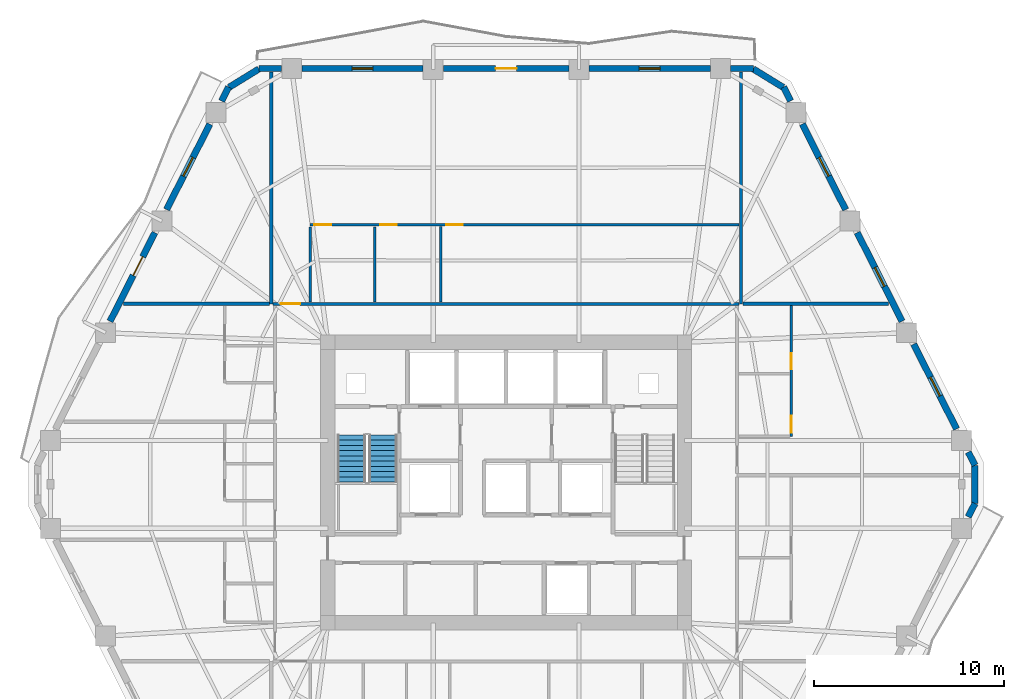
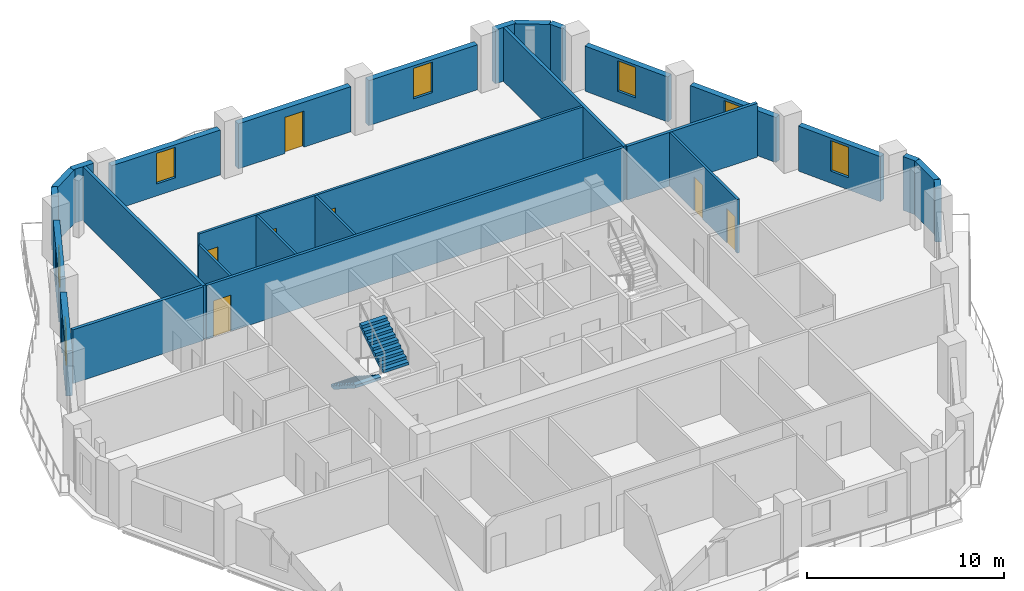
# One storey, part 7 of 10: 27 walls, 8 doors, 6 windows, 2 stair flights, 14 openings, 1 element without a shape of its own.
"""IFC4 building model written with IfcOpenShell, lengths in metres."""

from ifc_helpers import new_model, si_unit, direction, frame, frame_2d, origin, place, context, subcontext, project, spatial, polyline, rectangle, outline, extrude, material, layer, layer_set, type_object, element, fill, aggregate, save


model = new_model("IFC4")

# Units and contexts
model_context = context("Model", 3, precision=1e-05, world=origin(), true_north=direction((0.0, 1.0)))
body_context = subcontext(model_context, "Body", "Model", "MODEL_VIEW")
ifc_project = project(units=[si_unit("LENGTHUNIT", "METRE"), si_unit("AREAUNIT", "SQUARE_METRE"), si_unit("VOLUMEUNIT", "CUBIC_METRE"), si_unit("PLANEANGLEUNIT", "RADIAN"), si_unit("MASSUNIT", "GRAM", prefix="KILO")], contexts=[model_context])

# Site, building, storey
site_placement = place(None, origin())
site = spatial("IfcSite", under=ifc_project, at=site_placement, CompositionType="ELEMENT")
building_placement = place(site_placement, origin())
building = spatial("IfcBuilding", under=site, at=building_placement, Name="Cinnabar Lancet Tower", CompositionType="ELEMENT")
storey_placement = place(building_placement, frame((0.0, 0.0, 119.699951171875)))
storey = spatial("IfcBuildingStorey", under=building, at=storey_placement, Name="L31", CompositionType="ELEMENT", Elevation=119.699951171875)

# Wall, opening, door
ifc_material_1 = material(Name="Acoustic twin-stud gypsum partition", Category="gypsum")
ifc_layer_1 = layer(ifc_material_1, 0.159912109375)
ifc_layer_set_1 = layer_set([ifc_layer_1], Name="Acoustic twin-stud gypsum partition")
wall_type_1 = type_object("IfcWallType", Name="ARC-WL-CORR-160", PredefinedType="PARTITIONING", material=ifc_layer_set_1)
wall_1_placement = place(storey_placement, frame((20.14501953125, 35.300048828125, 0.0), z_axis=(0.0, 0.0, 1.0), x_axis=(1.0, 0.0, 0.0)))
wall_1 = element("IfcWall", 1, at=wall_1_placement, inside=storey, type_object=wall_type_1, Name="L31 Unit N01 Corridor Wall", PredefinedType="PARTITIONING", context=body_context, shape_type="SweptSolid", body=[
    extrude(rectangle(XDim=24.510009765625, YDim=0.159912109375, at=frame_2d((12.2548828125, 0.0))), origin(), (0.0, 0.0, 1.0), 3.340087890625),
])
opening_1_placement = place(wall_1_placement, frame((0.405029296875, 0.0, 0.0)))
opening_1 = element("IfcOpeningElement", 2, at=opening_1_placement, cuts=wall_1, Name="Opening UD-01", PredefinedType="OPENING", context=body_context, shape_type="SweptSolid", body=[
    extrude(rectangle(XDim=1.02001953125, YDim=2.25, at=frame_2d((0.510009765625, 1.125))), frame((0.0, 0.08984375, 0.0), z_axis=(0.0, -1.0, 0.0), x_axis=(1.0, 0.0, 0.0)), (0.0, 0.0, 1.0), 0.179931640625),
])
ifc_material_2 = material(Name="Solid timber fire-rated apartment entrance door", Category="wood")
door_type_1 = type_object("IfcDoorType", Name="ARC-DR-UNIT", OperationType="NOTDEFINED", PredefinedType="DOOR", material=ifc_material_2)
door_1_placement = place(opening_1_placement, origin())
door_1 = element("IfcDoor", 3, at=door_1_placement, inside=storey, type_object=door_type_1, Name="DR-L31-N01-ENT", OperationType="SINGLE_SWING_RIGHT", OverallHeight=2.25, OverallWidth=1.02001953125, PredefinedType="DOOR", context=body_context, shape_type="SweptSolid", body=[
    extrude(rectangle(XDim=1.02001953125, YDim=2.25, at=frame_2d((0.510009765625, 1.125))), frame((0.0, 0.02490234375, 0.0), z_axis=(0.0, -1.0, 0.0), x_axis=(1.0, 0.0, 0.0)), (0.0, 0.0, 1.0), 0.050048828125),
])
fill(opening_1, door_1)

# Walls
ifc_material_3 = material(Name="Fire-rated twin-frame acoustic drywall", Category="gypsum")
ifc_layer_2 = layer(ifc_material_3, 0.179931640625)
ifc_layer_set_2 = layer_set([ifc_layer_2], Name="Fire-rated twin-frame acoustic drywall")
wall_type_2 = type_object("IfcWallType", Name="ARC-WL-PARTY-180", PredefinedType="PARTITIONING", material=ifc_layer_set_2)
for number, where, z_axis, x_axis, name in (
    (4, (20.050048828125, 35.300048828125, 0.0), (0.0, 0.0, 1.0), (0.0, 1.0, 0.0), "PW-L31-NPTY-200"),
    (5, (44.75, 35.300048828125, 0.0), (0.0, 0.0, 1.0), (0.0, 1.0, 0.0), "PW-L31-NPTY-448"),
):
    element("IfcWall", number, at=place(storey_placement, frame(where, z_axis=z_axis, x_axis=x_axis)), inside=storey, type_object=wall_type_2, Name=name, PredefinedType="PARTITIONING", context=body_context, shape_type="SweptSolid", body=[
        extrude(rectangle(XDim=12.195068359375, YDim=0.179931640625, at=frame_2d((6.09765625, 0.0))), origin(), (0.0, 0.0, 1.0), 3.340087890625),
    ])
wall_2_placement = place(storey_placement, frame((12.285888671875, 35.300048828125, 0.0), z_axis=(0.0, 0.0, 1.0), x_axis=(1.0, 0.0, 0.0)))
element("IfcWall", 6, at=wall_2_placement, inside=storey, type_object=wall_type_2, Name="PW-L31-WNB", PredefinedType="PARTITIONING", context=body_context, shape_type="SweptSolid", body=[
    extrude(rectangle(XDim=7.669189453125, YDim=0.179931640625, at=frame_2d((3.83447265625, 0.0))), origin(), (0.0, 0.0, 1.0), 3.340087890625),
])
wall_3_placement = place(storey_placement, frame((44.844970703125, 35.300048828125, 0.0), z_axis=(0.0, 0.0, 1.0), x_axis=(1.0, 0.0, 0.0)))
element("IfcWall", 7, at=wall_3_placement, inside=storey, type_object=wall_type_2, Name="PW-L31-ENB", PredefinedType="PARTITIONING", context=body_context, shape_type="SweptSolid", body=[
    extrude(rectangle(XDim=7.6689453125, YDim=0.179931640625, at=frame_2d((3.83447265625, 0.0))), origin(), (0.0, 0.0, 1.0), 3.340087890625),
])
ifc_material_4 = material(Name="Gypsum plasterboard stud partition", Category="gypsum")
ifc_layer_3 = layer(ifc_material_4, 0.125)
ifc_layer_set_3 = layer_set([ifc_layer_3], Name="Gypsum plasterboard stud partition")
wall_type_3 = type_object("IfcWallType", Name="ARC-WL-UNIT-125", PredefinedType="PARTITIONING", material=ifc_layer_set_3)
wall_4_placement = place(storey_placement, frame((22.10009765625, 35.385009765625, 0.0), z_axis=(0.0, 0.0, 1.0), x_axis=(0.0, 1.0, 0.0)))
element("IfcWall", 8, at=wall_4_placement, inside=storey, type_object=wall_type_3, Name="UW-L31-N01-FOYE", PredefinedType="PARTITIONING", context=body_context, shape_type="SweptSolid", body=[
    extrude(rectangle(XDim=3.9560546875, YDim=0.125, at=frame_2d((1.97802734375, 0.0))), origin(), (0.0, 0.0, 1.0), 2.72216796875),
])

# Wall, openings, doors
ifc_material_5 = material(Name="Moisture-resistant cement-board plumbing wall", Category="masonry")
ifc_layer_4 = layer(ifc_material_5, 0.139892578125)
ifc_layer_set_4 = layer_set([ifc_layer_4], Name="Moisture-resistant cement-board plumbing wall")
wall_type_4 = type_object("IfcWallType", Name="ARC-WL-WET-140", PredefinedType="PLUMBINGWALL", material=ifc_layer_set_4)
wall_5_placement = place(storey_placement, frame((22.10009765625, 39.446044921875, 0.0), z_axis=(0.0, 0.0, 1.0), x_axis=(1.0, 0.0, 0.0)))
wall_5 = element("IfcWall", 9, at=wall_5_placement, inside=storey, type_object=wall_type_4, Name="UW-L31-N01-SPL", PredefinedType="PLUMBINGWALL", context=body_context, shape_type="SweptSolid", body=[
    extrude(rectangle(XDim=22.554931640625, YDim=0.139892578125, at=frame_2d((11.27734375, 0.0))), origin(), (0.0, 0.0, 1.0), 3.340087890625),
])
opening_2_placement = place(wall_5_placement, frame((3.679931640625, 0.0, 0.0)))
opening_2 = element("IfcOpeningElement", 10, at=opening_2_placement, cuts=wall_5, Name="Opening BD-01", PredefinedType="OPENING", context=body_context, shape_type="SweptSolid", body=[
    extrude(rectangle(XDim=0.860107421875, YDim=2.10009765625, at=frame_2d((0.43017578125, 1.050048828125))), frame((0.0, 0.079833984375, 0.0), z_axis=(0.0, -1.0, 0.0), x_axis=(1.0, 0.0, 0.0)), (0.0, 0.0, 1.0), 0.159912109375),
])
opening_3_placement = place(wall_5_placement, frame((7.14208984375, 0.0, 0.0)))
opening_3 = element("IfcOpeningElement", 11, at=opening_3_placement, cuts=wall_5, Name="Opening RD-02", PredefinedType="OPENING", context=body_context, shape_type="SweptSolid", body=[
    extrude(rectangle(XDim=0.8798828125, YDim=2.14990234375, at=frame_2d((0.43994140625, 1.074951171875))), frame((0.0, 0.079833984375, 0.0), z_axis=(0.0, -1.0, 0.0), x_axis=(1.0, 0.0, 0.0)), (0.0, 0.0, 1.0), 0.159912109375),
])
opening_4_placement = place(wall_5_placement, frame((0.219970703125, 0.0, 0.0)))
opening_4 = element("IfcOpeningElement", 12, at=opening_4_placement, cuts=wall_5, Name="Opening RD-02", PredefinedType="OPENING", context=body_context, shape_type="SweptSolid", body=[
    extrude(rectangle(XDim=0.8798828125, YDim=2.14990234375, at=frame_2d((0.43994140625, 1.074951171875))), frame((0.0, 0.079833984375, 0.0), z_axis=(0.0, -1.0, 0.0), x_axis=(1.0, 0.0, 0.0)), (0.0, 0.0, 1.0), 0.159912109375),
])
ifc_material_6 = material(Name="Moisture-resistant timber bathroom door", Category="wood")
door_type_2 = type_object("IfcDoorType", Name="ARC-DR-BATH", OperationType="NOTDEFINED", PredefinedType="DOOR", material=ifc_material_6)
door_2_placement = place(opening_2_placement, origin())
door_2 = element("IfcDoor", 13, at=door_2_placement, inside=storey, type_object=door_type_2, Name="DR-L31-N01-BTH", OperationType="SINGLE_SWING_RIGHT", OverallHeight=2.10009765625, OverallWidth=0.860107421875, PredefinedType="DOOR", context=body_context, shape_type="SweptSolid", body=[
    extrude(rectangle(XDim=0.860107421875, YDim=2.10009765625, at=frame_2d((0.43017578125, 1.050048828125))), frame((0.0, 0.02490234375, 0.0), z_axis=(0.0, -1.0, 0.0), x_axis=(1.0, 0.0, 0.0)), (0.0, 0.0, 1.0), 0.050048828125),
])
fill(opening_2, door_2)
ifc_material_7 = material(Name="Engineered timber study door", Category="wood")
door_type_3 = type_object("IfcDoorType", Name="ARC-DR-STUDY", OperationType="NOTDEFINED", PredefinedType="DOOR", material=ifc_material_7)
door_3_placement = place(opening_3_placement, origin())
door_3 = element("IfcDoor", 14, at=door_3_placement, inside=storey, type_object=door_type_3, Name="DR-L31-N01-BTH-WDR", OperationType="SINGLE_SWING_LEFT", OverallHeight=2.14990234375, OverallWidth=0.8798828125, PredefinedType="DOOR", context=body_context, shape_type="SweptSolid", body=[
    extrude(rectangle(XDim=0.8798828125, YDim=2.14990234375, at=frame_2d((0.43994140625, 1.074951171875))), frame((0.0, 0.02490234375, 0.0), z_axis=(0.0, -1.0, 0.0), x_axis=(1.0, 0.0, 0.0)), (0.0, 0.0, 1.0), 0.050048828125),
])
fill(opening_3, door_3)
door_4_placement = place(opening_4_placement, origin())
door_4 = element("IfcDoor", 15, at=door_4_placement, inside=storey, type_object=door_type_3, Name="DR-L31-N01-KIT", OperationType="SINGLE_SWING_LEFT", OverallHeight=2.14990234375, OverallWidth=0.8798828125, PredefinedType="DOOR", context=body_context, shape_type="SweptSolid", body=[
    extrude(rectangle(XDim=0.8798828125, YDim=2.14990234375, at=frame_2d((0.43994140625, 1.074951171875))), frame((0.0, 0.02490234375, 0.0), z_axis=(0.0, -1.0, 0.0), x_axis=(1.0, 0.0, 0.0)), (0.0, 0.0, 1.0), 0.050048828125),
])
fill(opening_4, door_4)

# Walls
wall_6_placement = place(storey_placement, frame((25.5, 35.385009765625, 0.0), z_axis=(0.0, 0.0, 1.0), x_axis=(0.0, 1.0, 0.0)))
element("IfcWall", 16, at=wall_6_placement, inside=storey, type_object=wall_type_4, Name="UW-L31-N01-KDV", PredefinedType="PLUMBINGWALL", context=body_context, shape_type="SweptSolid", body=[
    extrude(rectangle(XDim=3.9560546875, YDim=0.139892578125, at=frame_2d((1.97802734375, 0.0))), origin(), (0.0, 0.0, 1.0), 3.340087890625),
])
wall_7_placement = place(storey_placement, frame((28.9619140625, 35.385009765625, 0.0), z_axis=(0.0, 0.0, 1.0), x_axis=(0.0, 1.0, 0.0)))
element("IfcWall", 17, at=wall_7_placement, inside=storey, type_object=wall_type_4, Name="UW-L31-N01-BTH-WDV", PredefinedType="PLUMBINGWALL", context=body_context, shape_type="SweptSolid", body=[
    extrude(rectangle(XDim=3.97607421875, YDim=0.139892578125, at=frame_2d((1.988037109375, 0.0))), origin(), (0.0, 0.0, 1.0), 3.340087890625),
])

# Wall, openings, doors
wall_8_placement = place(storey_placement, frame((47.39990234375, 28.325927734375, 0.0), z_axis=(0.0, 0.0, 1.0), x_axis=(0.0, 1.0, 0.0)))
wall_8 = element("IfcWall", 18, at=wall_8_placement, inside=storey, type_object=wall_type_4, Name="UW-L31-E02-SPL", PredefinedType="PLUMBINGWALL", context=body_context, shape_type="SweptSolid", body=[
    extrude(rectangle(XDim=6.879150390625, YDim=0.139892578125, at=frame_2d((3.439453125, 0.0))), origin(), (0.0, 0.0, 1.0), 3.340087890625),
])
opening_5_placement = place(wall_8_placement, frame((3.52197265625, 0.0, 0.0)))
opening_5 = element("IfcOpeningElement", 19, at=opening_5_placement, cuts=wall_8, Name="Opening BD-01", PredefinedType="OPENING", context=body_context, shape_type="SweptSolid", body=[
    extrude(rectangle(XDim=0.860107421875, YDim=2.10009765625, at=frame_2d((0.43017578125, 1.050048828125))), frame((0.0, 0.079833984375, 0.0), z_axis=(0.0, -1.0, 0.0), x_axis=(1.0, 0.0, 0.0)), (0.0, 0.0, 1.0), 0.159912109375),
])
opening_6_placement = place(wall_8_placement, frame((0.199951171875, 0.0, 0.0)))
opening_6 = element("IfcOpeningElement", 20, at=opening_6_placement, cuts=wall_8, Name="Opening RD-02", PredefinedType="OPENING", context=body_context, shape_type="SweptSolid", body=[
    extrude(rectangle(XDim=0.8798828125, YDim=2.14990234375, at=frame_2d((0.43994140625, 1.074951171875))), frame((0.0, 0.079833984375, 0.0), z_axis=(0.0, -1.0, 0.0), x_axis=(1.0, 0.0, 0.0)), (0.0, 0.0, 1.0), 0.159912109375),
])
door_5_placement = place(opening_5_placement, origin())
door_5 = element("IfcDoor", 21, at=door_5_placement, inside=storey, type_object=door_type_2, Name="DR-L31-E02-BTH", OperationType="SINGLE_SWING_LEFT", OverallHeight=2.10009765625, OverallWidth=0.860107421875, PredefinedType="DOOR", context=body_context, shape_type="SweptSolid", body=[
    extrude(rectangle(XDim=0.860107421875, YDim=2.10009765625, at=frame_2d((0.43017578125, 1.050048828125))), frame((0.0, 0.02490234375, 0.0), z_axis=(0.0, -1.0, 0.0), x_axis=(1.0, 0.0, 0.0)), (0.0, 0.0, 1.0), 0.050048828125),
])
fill(opening_5, door_5)
door_6_placement = place(opening_6_placement, origin())
door_6 = element("IfcDoor", 22, at=door_6_placement, inside=storey, type_object=door_type_3, Name="DR-L31-E02-KIT", OperationType="SINGLE_SWING_RIGHT", OverallHeight=2.14990234375, OverallWidth=0.8798828125, PredefinedType="DOOR", context=body_context, shape_type="SweptSolid", body=[
    extrude(rectangle(XDim=0.8798828125, YDim=2.14990234375, at=frame_2d((0.43994140625, 1.074951171875))), frame((0.0, 0.02490234375, 0.0), z_axis=(0.0, -1.0, 0.0), x_axis=(1.0, 0.0, 0.0)), (0.0, 0.0, 1.0), 0.050048828125),
])
fill(opening_6, door_6)

# Walls
ifc_material_8 = material(Name="Cinnabar red clay brick", Category="masonry")
ifc_layer_5 = layer(ifc_material_8, 0.340087890625)
ifc_layer_set_5 = layer_set([ifc_layer_5], Name="Cinnabar red clay brick")
wall_type_5 = type_object("IfcWallType", Name="ENV-WL-BRK-RED-340", PredefinedType="STANDARD", material=ifc_layer_set_5)
wall_9_placement = place(storey_placement, frame((57.032958984375, 24.802978515625, 0.0), z_axis=(0.0, 0.0, 1.0), x_axis=(0.0, 1.0, 0.0)))
element("IfcWall", 23, at=wall_9_placement, inside=storey, type_object=wall_type_5, Name="L31 Chamfered Corner Brick Pier 3.1", PredefinedType="STANDARD", context=body_context, shape_type="SweptSolid", body=[
    extrude(rectangle(XDim=1.994140625, YDim=0.340087890625, at=frame_2d((0.9970703125, 0.0))), origin(), (0.0, 0.0, 1.0), 3.340087890625),
])
for number, where, z_axis, x_axis, name in (
    (24, (46.970947265625, 46.677001953125, 0.0), (0.0, 0.0, 1.0), (-0.851798915137, 0.523868884523, 0.0), "L31 Chamfered Corner Brick Pier 4.1"),
    (25, (19.403076171875, 47.64501953125, 0.0), (0.0, 0.0, 1.0), (-0.851798915137, -0.523868884523, 0.0), "L31 Chamfered Corner Brick Pier 5.1"),
):
    element("IfcWall", number, at=place(storey_placement, frame(where, z_axis=z_axis, x_axis=x_axis)), inside=storey, type_object=wall_type_5, Name=name, PredefinedType="STANDARD", context=body_context, shape_type="SweptSolid", body=[
        extrude(rectangle(XDim=1.847900390625, YDim=0.340087890625, at=frame_2d((0.923828125, 0.0))), origin(), (0.0, 0.0, 1.0), 3.340087890625),
    ])
for number, where, z_axis, x_axis, name in (
    (26, (56.699951171875, 24.096923828125, 0.0), (0.0, 0.0, 1.0), (0.451819324107, 0.89210946546, 0.0), "L31 Face 2 Masonry Bay Wall 5"),
    (27, (57.053955078125, 26.803955078125, 0.0), (0.0, 0.0, 1.0), (-0.451819324107, 0.89210946546, 0.0), "L31 Face 3 Masonry Bay Wall 1"),
):
    element("IfcWall", number, at=place(storey_placement, frame(where, z_axis=z_axis, x_axis=x_axis)), inside=storey, type_object=wall_type_5, Name=name, PredefinedType="STANDARD", context=body_context, shape_type="SweptSolid", body=[
        extrude(rectangle(XDim=0.783447265625, YDim=0.340087890625, at=frame_2d((0.3916015625, 0.0))), origin(), (0.0, 0.0, 1.0), 3.340087890625),
    ])

# Wall, opening, window
wall_10_placement = place(storey_placement, frame((56.0869140625, 28.715087890625, 0.0), z_axis=(0.0, 0.0, 1.0), x_axis=(-0.451431617681, 0.892305718102, 0.0)))
wall_10 = element("IfcWall", 28, at=wall_10_placement, inside=storey, type_object=wall_type_5, Name="L31 Face 3 Masonry Bay Wall 2", PredefinedType="STANDARD", context=body_context, shape_type="SweptSolid", body=[
    extrude(rectangle(XDim=4.994873046875, YDim=0.340087890625, at=frame_2d((2.49755859375, 0.0))), origin(), (0.0, 0.0, 1.0), 2.797119140625),
])
opening_7_placement = place(wall_10_placement, frame((1.947021484375, 0.0, 0.75)))
opening_7 = element("IfcOpeningElement", 29, at=opening_7_placement, cuts=wall_10, Name="Opening WN-04", PredefinedType="OPENING", context=body_context, shape_type="SweptSolid", body=[
    extrude(rectangle(XDim=1.10009765625, YDim=1.89697265625, at=frame_2d((0.550048828125, 0.948486328125))), frame((0.0, 0.179931640625, 0.0), z_axis=(0.0, -1.0, 0.0), x_axis=(1.0, 0.0, 0.0)), (0.0, 0.0, 1.0), 0.360107421875),
])
ifc_material_9 = material(Name="Thermally broken bronze-anodized aluminium tall lancet window", Category="aluminium")
window_type = type_object("IfcWindowType", Name="ENV-WN-LANCET-1100", PartitioningType="SINGLE_PANEL", PredefinedType="WINDOW", material=ifc_material_9)
window_1_placement = place(opening_7_placement, origin())
window_1 = element("IfcWindow", 30, at=window_1_placement, inside=storey, type_object=window_type, Name="L31 Face 3 Gothic Lancet Window 2", OverallHeight=1.89697265625, OverallWidth=1.10009765625, PartitioningType="SINGLE_PANEL", PredefinedType="WINDOW", context=body_context, shape_type="SweptSolid", body=[
    extrude(rectangle(XDim=1.10009765625, YDim=1.89697265625, at=frame_2d((0.550048828125, 0.948486328125))), frame((0.0, 0.030029296875, 0.0), z_axis=(0.0, -1.0, 0.0), x_axis=(1.0, 0.0, 0.0)), (0.0, 0.0, 1.0), 0.06005859375),
])
fill(opening_7, window_1)

wall_11_placement = place(storey_placement, frame((53.219970703125, 34.382080078125, 0.0), z_axis=(0.0, 0.0, 1.0), x_axis=(-0.451567731634, 0.892236842855, 0.0)))
wall_11 = element("IfcWall", 31, at=wall_11_placement, inside=storey, type_object=wall_type_5, Name="L31 Face 3 Masonry Bay Wall 3", PredefinedType="STANDARD", context=body_context, shape_type="SweptSolid", body=[
    extrude(rectangle(XDim=5.219482421875, YDim=0.340087890625, at=frame_2d((2.60986328125, 0.0))), origin(), (0.0, 0.0, 1.0), 2.797119140625),
])
opening_8_placement = place(wall_11_placement, frame((2.06005859375, 0.0, 0.75)))
opening_8 = element("IfcOpeningElement", 32, at=opening_8_placement, cuts=wall_11, Name="Opening WN-04", PredefinedType="OPENING", context=body_context, shape_type="SweptSolid", body=[
    extrude(rectangle(XDim=1.10009765625, YDim=1.89697265625, at=frame_2d((0.550048828125, 0.948486328125))), frame((0.0, 0.179931640625, 0.0), z_axis=(0.0, -1.0, 0.0), x_axis=(1.0, 0.0, 0.0)), (0.0, 0.0, 1.0), 0.360107421875),
])
window_2_placement = place(opening_8_placement, origin())
window_2 = element("IfcWindow", 33, at=window_2_placement, inside=storey, type_object=window_type, Name="L31 Face 3 Gothic Lancet Window 3", OverallHeight=1.89697265625, OverallWidth=1.10009765625, PartitioningType="SINGLE_PANEL", PredefinedType="WINDOW", context=body_context, shape_type="SweptSolid", body=[
    extrude(rectangle(XDim=1.10009765625, YDim=1.89697265625, at=frame_2d((0.550048828125, 0.948486328125))), frame((0.0, 0.030029296875, 0.0), z_axis=(0.0, -1.0, 0.0), x_axis=(1.0, 0.0, 0.0)), (0.0, 0.0, 1.0), 0.06005859375),
])
fill(opening_8, window_2)

wall_12_placement = place(storey_placement, frame((50.2509765625, 40.2509765625, 0.0), z_axis=(0.0, 0.0, 1.0), x_axis=(-0.451548465867, 0.892246593142, 0.0)))
wall_12 = element("IfcWall", 34, at=wall_12_placement, inside=storey, type_object=wall_type_5, Name="L31 Face 3 Masonry Bay Wall 4", PredefinedType="STANDARD", context=body_context, shape_type="SweptSolid", body=[
    extrude(rectangle(XDim=5.040283203125, YDim=0.340087890625, at=frame_2d((2.52001953125, 0.0))), origin(), (0.0, 0.0, 1.0), 2.797119140625),
])
opening_9_placement = place(wall_12_placement, frame((1.969970703125, 0.0, 0.75)))
opening_9 = element("IfcOpeningElement", 35, at=opening_9_placement, cuts=wall_12, Name="Opening WN-04", PredefinedType="OPENING", context=body_context, shape_type="SweptSolid", body=[
    extrude(rectangle(XDim=1.10009765625, YDim=1.89697265625, at=frame_2d((0.550048828125, 0.948486328125))), frame((0.0, 0.179931640625, 0.0), z_axis=(0.0, -1.0, 0.0), x_axis=(1.0, 0.0, 0.0)), (0.0, 0.0, 1.0), 0.360107421875),
])
window_3_placement = place(opening_9_placement, origin())
window_3 = element("IfcWindow", 36, at=window_3_placement, inside=storey, type_object=window_type, Name="L31 Face 3 Gothic Lancet Window 4", OverallHeight=1.89697265625, OverallWidth=1.10009765625, PartitioningType="SINGLE_PANEL", PredefinedType="WINDOW", context=body_context, shape_type="SweptSolid", body=[
    extrude(rectangle(XDim=1.10009765625, YDim=1.89697265625, at=frame_2d((0.550048828125, 0.948486328125))), frame((0.0, 0.030029296875, 0.0), z_axis=(0.0, -1.0, 0.0), x_axis=(1.0, 0.0, 0.0)), (0.0, 0.0, 1.0), 0.06005859375),
])
fill(opening_9, window_3)

# Walls
wall_13_placement = place(storey_placement, frame((47.362060546875, 45.9599609375, 0.0), z_axis=(0.0, 0.0, 1.0), x_axis=(-0.45160540153, 0.89221777684, 0.0)))
element("IfcWall", 37, at=wall_13_placement, inside=storey, type_object=wall_type_5, Name="L31 Face 3 Masonry Bay Wall 5", PredefinedType="STANDARD", context=body_context, shape_type="SweptSolid", body=[
    extrude(rectangle(XDim=0.82177734375, YDim=0.340087890625, at=frame_2d((0.410888671875, 0.0))), origin(), (0.0, 0.0, 1.0), 3.340087890625),
])
wall_14_placement = place(storey_placement, frame((45.402099609375, 47.669921875, 0.0), z_axis=(0.0, 0.0, 1.0), x_axis=(-1.0, 0.0, 0.0)))
element("IfcWall", 38, at=wall_14_placement, inside=storey, type_object=wall_type_5, Name="L31 Face 4 Masonry Bay Wall 1", PredefinedType="STANDARD", context=body_context, shape_type="SweptSolid", body=[
    extrude(rectangle(XDim=1.2041015625, YDim=0.340087890625, at=frame_2d((0.60205078125, 0.0))), origin(), (0.0, 0.0, 1.0), 3.340087890625),
])

# Wall, opening, window
wall_15_placement = place(storey_placement, frame((43.139892578125, 47.669921875, 0.0), z_axis=(0.0, 0.0, 1.0), x_axis=(-1.0, 0.0, 0.0)))
wall_15 = element("IfcWall", 39, at=wall_15_placement, inside=storey, type_object=wall_type_5, Name="L31 Face 4 Masonry Bay Wall 2", PredefinedType="STANDARD", context=body_context, shape_type="SweptSolid", body=[
    extrude(rectangle(XDim=6.37890625, YDim=0.340087890625, at=frame_2d((3.189453125, 0.0))), origin(), (0.0, 0.0, 1.0), 2.797119140625),
])
opening_10_placement = place(wall_15_placement, frame((2.638916015625, 0.0, 0.75)))
opening_10 = element("IfcOpeningElement", 40, at=opening_10_placement, cuts=wall_15, Name="Opening WN-04", PredefinedType="OPENING", context=body_context, shape_type="SweptSolid", body=[
    extrude(rectangle(XDim=1.10009765625, YDim=1.89697265625, at=frame_2d((0.550048828125, 0.948486328125))), frame((0.0, 0.179931640625, 0.0), z_axis=(0.0, -1.0, 0.0), x_axis=(1.0, 0.0, 0.0)), (0.0, 0.0, 1.0), 0.360107421875),
])
window_4_placement = place(opening_10_placement, origin())
window_4 = element("IfcWindow", 41, at=window_4_placement, inside=storey, type_object=window_type, Name="L31 Face 4 Gothic Lancet Window 2", OverallHeight=1.89697265625, OverallWidth=1.10009765625, PartitioningType="SINGLE_PANEL", PredefinedType="WINDOW", context=body_context, shape_type="SweptSolid", body=[
    extrude(rectangle(XDim=1.10009765625, YDim=1.89697265625, at=frame_2d((0.550048828125, 0.948486328125))), frame((0.0, 0.030029296875, 0.0), z_axis=(0.0, -1.0, 0.0), x_axis=(1.0, 0.0, 0.0)), (0.0, 0.0, 1.0), 0.06005859375),
])
fill(opening_10, window_4)

# Wall, opening, door
wall_16_placement = place(storey_placement, frame((35.702880859375, 47.669921875, 0.0), z_axis=(0.0, 0.0, 1.0), x_axis=(-1.0, 0.0, 0.0)))
wall_16 = element("IfcWall", 42, at=wall_16_placement, inside=storey, type_object=wall_type_5, Name="L31 Face 4 Masonry Bay Wall 3", PredefinedType="STANDARD", context=body_context, shape_type="SweptSolid", body=[
    extrude(rectangle(XDim=6.60595703125, YDim=0.340087890625, at=frame_2d((3.302978515625, 0.0))), origin(), (0.0, 0.0, 1.0), 2.797119140625),
])
opening_11_placement = place(wall_16_placement, frame((2.7529296875, 0.0, 0.0)))
opening_11 = element("IfcOpeningElement", 43, at=opening_11_placement, cuts=wall_16, Name="Opening TD-01", PredefinedType="OPENING", context=body_context, shape_type="SweptSolid", body=[
    extrude(rectangle(XDim=1.10009765625, YDim=2.25, at=frame_2d((0.550048828125, 1.125))), frame((0.0, 0.179931640625, 0.0), z_axis=(0.0, -1.0, 0.0), x_axis=(1.0, 0.0, 0.0)), (0.0, 0.0, 1.0), 0.360107421875),
])
ifc_material_10 = material(Name="Thermally broken low-E glazed balcony terrace door", Category="wood")
door_type_4 = type_object("IfcDoorType", Name="ARC-DR-BALC", OperationType="NOTDEFINED", PredefinedType="DOOR", material=ifc_material_10)
door_7_placement = place(opening_11_placement, origin())
door_7 = element("IfcDoor", 44, at=door_7_placement, inside=storey, type_object=door_type_4, Name="L31 Face 4 Glazed Terrace Door", OperationType="SINGLE_SWING_LEFT", OverallHeight=2.25, OverallWidth=1.10009765625, PredefinedType="DOOR", context=body_context, shape_type="SweptSolid", body=[
    extrude(rectangle(XDim=1.10009765625, YDim=2.25, at=frame_2d((0.550048828125, 1.125))), frame((0.0, 0.02490234375, 0.0), z_axis=(0.0, -1.0, 0.0), x_axis=(1.0, 0.0, 0.0)), (0.0, 0.0, 1.0), 0.050048828125),
])
fill(opening_11, door_7)

# Wall, opening, window
wall_17_placement = place(storey_placement, frame((28.0390625, 47.669921875, 0.0), z_axis=(0.0, 0.0, 1.0), x_axis=(-1.0, 0.0, 0.0)))
wall_17 = element("IfcWall", 45, at=wall_17_placement, inside=storey, type_object=wall_type_5, Name="L31 Face 4 Masonry Bay Wall 4", PredefinedType="STANDARD", context=body_context, shape_type="SweptSolid", body=[
    extrude(rectangle(XDim=6.379150390625, YDim=0.340087890625, at=frame_2d((3.189453125, 0.0))), origin(), (0.0, 0.0, 1.0), 2.797119140625),
])
opening_12_placement = place(wall_17_placement, frame((2.639892578125, 0.0, 0.75)))
opening_12 = element("IfcOpeningElement", 46, at=opening_12_placement, cuts=wall_17, Name="Opening WN-04", PredefinedType="OPENING", context=body_context, shape_type="SweptSolid", body=[
    extrude(rectangle(XDim=1.10009765625, YDim=1.89697265625, at=frame_2d((0.550048828125, 0.948486328125))), frame((0.0, 0.179931640625, 0.0), z_axis=(0.0, -1.0, 0.0), x_axis=(1.0, 0.0, 0.0)), (0.0, 0.0, 1.0), 0.360107421875),
])
window_5_placement = place(opening_12_placement, origin())
window_5 = element("IfcWindow", 47, at=window_5_placement, inside=storey, type_object=window_type, Name="L31 Face 4 Gothic Lancet Window 4", OverallHeight=1.89697265625, OverallWidth=1.10009765625, PartitioningType="SINGLE_PANEL", PredefinedType="WINDOW", context=body_context, shape_type="SweptSolid", body=[
    extrude(rectangle(XDim=1.10009765625, YDim=1.89697265625, at=frame_2d((0.550048828125, 0.948486328125))), frame((0.0, 0.030029296875, 0.0), z_axis=(0.0, -1.0, 0.0), x_axis=(1.0, 0.0, 0.0)), (0.0, 0.0, 1.0), 0.06005859375),
])
fill(opening_12, window_5)

# Walls
wall_18_placement = place(storey_placement, frame((20.60205078125, 47.669921875, 0.0), z_axis=(0.0, 0.0, 1.0), x_axis=(-1.0, 0.0, 0.0)))
element("IfcWall", 48, at=wall_18_placement, inside=storey, type_object=wall_type_5, Name="L31 Face 4 Masonry Bay Wall 5", PredefinedType="STANDARD", context=body_context, shape_type="SweptSolid", body=[
    extrude(rectangle(XDim=1.2041015625, YDim=0.340087890625, at=frame_2d((0.60205078125, 0.0))), origin(), (0.0, 0.0, 1.0), 3.340087890625),
])
wall_19_placement = place(storey_placement, frame((17.80908203125, 46.693115234375, 0.0), z_axis=(0.0, 0.0, 1.0), x_axis=(-0.45160540153, -0.89221777684, 0.0)))
element("IfcWall", 49, at=wall_19_placement, inside=storey, type_object=wall_type_5, Name="L31 Face 5 Masonry Bay Wall 1", PredefinedType="STANDARD", context=body_context, shape_type="SweptSolid", body=[
    extrude(rectangle(XDim=0.82177734375, YDim=0.340087890625, at=frame_2d((0.410888671875, 0.0))), origin(), (0.0, 0.0, 1.0), 3.340087890625),
])

# Wall, opening, window
wall_20_placement = place(storey_placement, frame((16.824951171875, 44.748046875, 0.0), z_axis=(0.0, 0.0, 1.0), x_axis=(-0.451548465867, -0.892246593142, 0.0)))
wall_20 = element("IfcWall", 50, at=wall_20_placement, inside=storey, type_object=wall_type_5, Name="L31 Face 5 Masonry Bay Wall 2", PredefinedType="STANDARD", context=body_context, shape_type="SweptSolid", body=[
    extrude(rectangle(XDim=5.040283203125, YDim=0.340087890625, at=frame_2d((2.52001953125, 0.0))), origin(), (0.0, 0.0, 1.0), 2.797119140625),
])
opening_13_placement = place(wall_20_placement, frame((1.969970703125, 0.0, 0.75)))
opening_13 = element("IfcOpeningElement", 51, at=opening_13_placement, cuts=wall_20, Name="Opening WN-04", PredefinedType="OPENING", context=body_context, shape_type="SweptSolid", body=[
    extrude(rectangle(XDim=1.10009765625, YDim=1.89697265625, at=frame_2d((0.550048828125, 0.948486328125))), frame((0.0, 0.179931640625, 0.0), z_axis=(0.0, -1.0, 0.0), x_axis=(1.0, 0.0, 0.0)), (0.0, 0.0, 1.0), 0.360107421875),
])
window_6_placement = place(opening_13_placement, origin())
window_6 = element("IfcWindow", 52, at=window_6_placement, inside=storey, type_object=window_type, Name="L31 Face 5 Gothic Lancet Window 2", OverallHeight=1.89697265625, OverallWidth=1.10009765625, PartitioningType="SINGLE_PANEL", PredefinedType="WINDOW", context=body_context, shape_type="SweptSolid", body=[
    extrude(rectangle(XDim=1.10009765625, YDim=1.89697265625, at=frame_2d((0.550048828125, 0.948486328125))), frame((0.0, 0.030029296875, 0.0), z_axis=(0.0, -1.0, 0.0), x_axis=(1.0, 0.0, 0.0)), (0.0, 0.0, 1.0), 0.06005859375),
])
fill(opening_13, window_6)

# Wall, opening, door
wall_21_placement = place(storey_placement, frame((13.93701171875, 39.0390625, 0.0), z_axis=(0.0, 0.0, 1.0), x_axis=(-0.451567731634, -0.892236842855, 0.0)))
wall_21 = element("IfcWall", 53, at=wall_21_placement, inside=storey, type_object=wall_type_5, Name="L31 Face 5 Masonry Bay Wall 3", PredefinedType="STANDARD", context=body_context, shape_type="SweptSolid", body=[
    extrude(rectangle(XDim=5.219482421875, YDim=0.340087890625, at=frame_2d((2.60986328125, 0.0))), origin(), (0.0, 0.0, 1.0), 2.797119140625),
])
opening_14_placement = place(wall_21_placement, frame((1.419921875, 0.0, 0.0)))
opening_14 = element("IfcOpeningElement", 54, at=opening_14_placement, cuts=wall_21, Name="Opening TD-01", PredefinedType="OPENING", context=body_context, shape_type="SweptSolid", body=[
    extrude(rectangle(XDim=1.10009765625, YDim=2.25, at=frame_2d((0.550048828125, 1.125))), frame((0.0, 0.179931640625, 0.0), z_axis=(0.0, -1.0, 0.0), x_axis=(1.0, 0.0, 0.0)), (0.0, 0.0, 1.0), 0.360107421875),
])
door_8_placement = place(opening_14_placement, origin())
door_8 = element("IfcDoor", 55, at=door_8_placement, inside=storey, type_object=door_type_4, Name="L31 Face 5 Glazed Terrace Door", OperationType="SINGLE_SWING_RIGHT", OverallHeight=2.25, OverallWidth=1.10009765625, PredefinedType="DOOR", context=body_context, shape_type="SweptSolid", body=[
    extrude(rectangle(XDim=1.10009765625, YDim=2.25, at=frame_2d((0.550048828125, 1.125))), frame((0.0, 0.02490234375, 0.0), z_axis=(0.0, -1.0, 0.0), x_axis=(1.0, 0.0, 0.0)), (0.0, 0.0, 1.0), 0.050048828125),
])
fill(opening_14, door_8)

# Stair, stair flights
ifc_material_11 = material(Name="Concrete C40/50", Category="concrete")
stair_type = type_object("IfcStairType", Name="ST-CORE", PredefinedType="HALF_TURN_STAIR", material=ifc_material_11)
stair_placement = place(storey_placement, origin())
stair = element("IfcStair", 56, at=stair_placement, inside=storey, type_object=stair_type, Name="L31 ST-1", PredefinedType="HALF_TURN_STAIR")
ifc_material_12 = material(Name="Concrete C40/50", Category="concrete")
stair_flight_type = type_object("IfcStairFlightType", Name="FLIGHT-CORE", PredefinedType="STRAIGHT", material=ifc_material_12)
stair_flight_1_placement = place(storey_placement, frame((24.27490234375, 28.39990234375, 0.0), z_axis=(0.0, 0.0, 1.0), x_axis=(0.0, -1.0, 0.0)))
stair_flight_1 = element("IfcStairFlight", 57, at=stair_flight_1_placement, type_object=stair_flight_type, Name="ST-1 flight 1", NumberOfRisers=10, NumberOfTreads=9, PredefinedType="STRAIGHT", RiserHeight=0.1775, TreadLength=0.275, context=body_context, shape_type="SweptSolid", body=[
    extrude(outline(polyline([(0.0, 0.0), (0.0, 0.177490234375), (0.27490234375, 0.177490234375), (0.27490234375, 0.35498046875), (0.550048828125, 0.35498046875), (0.550048828125, 0.532470703125), (0.824951171875, 0.532470703125), (0.824951171875, 0.7099609375), (1.10009765625, 0.7099609375), (1.10009765625, 0.887451171875), (1.375, 0.887451171875), (1.375, 1.06494140625), (1.64990234375, 1.06494140625), (1.64990234375, 1.242431640625), (1.925048828125, 1.242431640625), (1.925048828125, 1.419921875), (2.199951171875, 1.419921875), (2.199951171875, 1.597412109375), (2.47509765625, 1.597412109375), (2.47509765625, 1.77490234375), (2.47509765625, 1.419189453125), (0.2763671875, 0.0), (0.0, 0.0)])), frame((0.0, 0.75, 0.0), z_axis=(0.0, -1.0, 0.0), x_axis=(1.0, 0.0, 0.0)), (0.0, 0.0, 1.0), 1.5),
])
stair_flight_2_placement = place(storey_placement, frame((25.925048828125, 25.925048828125, 1.775146484375), z_axis=(0.0, 0.0, 1.0), x_axis=(0.0, 1.0, 0.0)))
stair_flight_2 = element("IfcStairFlight", 58, at=stair_flight_2_placement, type_object=stair_flight_type, Name="ST-1 flight 2", NumberOfRisers=10, NumberOfTreads=9, PredefinedType="STRAIGHT", RiserHeight=0.1775, TreadLength=0.275, context=body_context, shape_type="SweptSolid", body=[
    extrude(outline(polyline([(0.0, 0.0), (0.0, 0.177490234375), (0.27490234375, 0.177490234375), (0.27490234375, 0.35498046875), (0.550048828125, 0.35498046875), (0.550048828125, 0.532470703125), (0.824951171875, 0.532470703125), (0.824951171875, 0.7099609375), (1.10009765625, 0.7099609375), (1.10009765625, 0.887451171875), (1.375, 0.887451171875), (1.375, 1.06494140625), (1.64990234375, 1.06494140625), (1.64990234375, 1.242431640625), (1.925048828125, 1.242431640625), (1.925048828125, 1.419921875), (2.199951171875, 1.419921875), (2.199951171875, 1.597412109375), (2.47509765625, 1.597412109375), (2.47509765625, 1.77490234375), (2.47509765625, 1.419189453125), (0.2763671875, 0.0), (0.0, 0.0)])), frame((0.0, 0.75, 0.0), z_axis=(0.0, -1.0, 0.0), x_axis=(1.0, 0.0, 0.0)), (0.0, 0.0, 1.0), 1.5),
])
aggregate(stair, [stair_flight_1, stair_flight_2])

save(model, "model.ifc")
